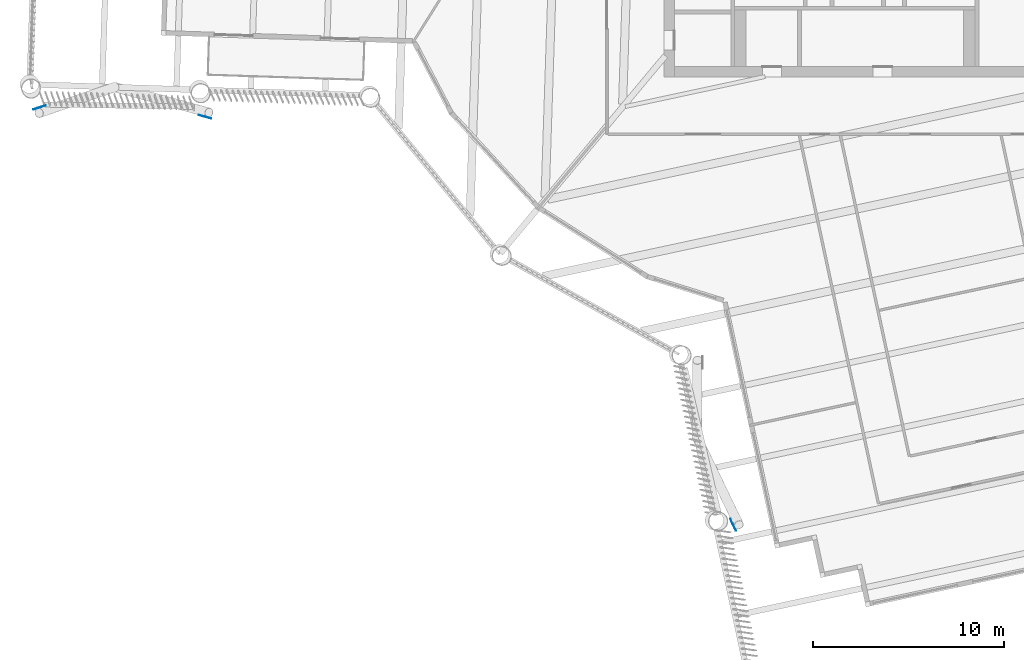
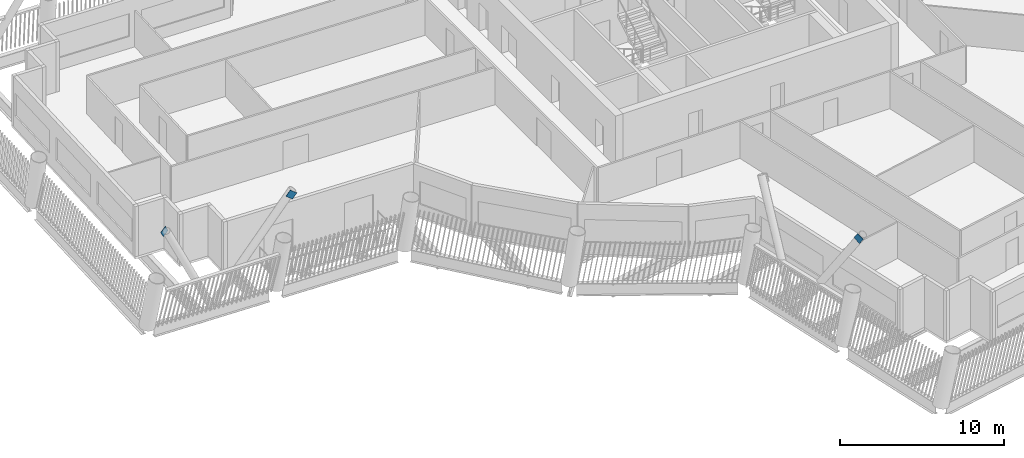
# One storey, part 10 of 21: 3 discrete accessories.
"""IFC4 building model written with IfcOpenShell, lengths in metres."""

from ifc_helpers import new_model, si_unit, direction, frame, origin, origin_2d, place, context, subcontext, project, spatial, rectangle, extrude, material, material_profile, profile_set, type_object, element, save


model = new_model("IFC4")

# Units and contexts
model_context = context("Model", 3, precision=1e-05, world=origin(), true_north=direction((0.0, 1.0)))
body_context = subcontext(model_context, "Body", "Model", "MODEL_VIEW")
ifc_project = project(units=[si_unit("LENGTHUNIT", "METRE"), si_unit("AREAUNIT", "SQUARE_METRE"), si_unit("VOLUMEUNIT", "CUBIC_METRE"), si_unit("PLANEANGLEUNIT", "RADIAN"), si_unit("MASSUNIT", "GRAM", prefix="KILO")], contexts=[model_context])

# Site, building, storey
site_placement = place(None, origin())
site = spatial("IfcSite", under=ifc_project, at=site_placement, CompositionType="ELEMENT")
building_placement = place(site_placement, origin())
building = spatial("IfcBuilding", under=site, at=building_placement, Name="Tarsis Ring Headquarters", CompositionType="ELEMENT")
storey_placement = place(building_placement, frame((0.0, 0.0, 278.60009765625)))
storey = spatial("IfcBuildingStorey", under=building, at=storey_placement, Name="L65", CompositionType="ELEMENT", Elevation=278.60009765625)

# Discrete accessories
ifc_material = material(Name="Structural steel S355", Category="steel")
ifc_material_profile = material_profile(ifc_material, rectangle(XDim=0.02490234375, YDim=0.5, at=origin_2d()), Name="PL 25x500")
ifc_profile_set = profile_set([ifc_material_profile], Name="Structural steel S355")
discrete_accessory_type = type_object("IfcDiscreteAccessoryType", Name="Gusset plate Exo brace 25", PredefinedType="BRACKET", material=ifc_profile_set)
discrete_accessory_1_placement = place(storey_placement, frame((-6.323486328125, -36.599609375, 7.7998046875), z_axis=(-0.236809998138, 0.492662449734, -0.837379684136), x_axis=(-0.90128596218, -0.433224669631, 0.0)))
element("IfcDiscreteAccessory", 1, at=discrete_accessory_1_placement, inside=storey, type_object=discrete_accessory_type, Name="Gusset plate GP5", PredefinedType="BRACKET", context=body_context, shape_type="SweptSolid", body=[
    extrude(rectangle(XDim=0.02490234375, YDim=0.5, at=origin_2d()), origin(), (0.0, 0.0, 1.0), 0.5),
])
discrete_accessory_2_placement = place(storey_placement, frame((-33.936279296875, -15.128173828125, 7.7998046875), z_axis=(-0.530019554772, 0.143129704653, -0.835818855498), x_axis=(-0.260707318453, -0.965417885739, 0.0)))
element("IfcDiscreteAccessory", 2, at=discrete_accessory_2_placement, inside=storey, type_object=discrete_accessory_type, Name="Gusset plate GP5", PredefinedType="BRACKET", context=body_context, shape_type="SweptSolid", body=[
    extrude(rectangle(XDim=0.02490234375, YDim=0.5, at=origin_2d()), origin(), (0.0, 0.0, 1.0), 0.499755859375),
])
discrete_accessory_3_placement = place(storey_placement, frame((-42.855224609375, -14.637451171875, 7.7998046875), z_axis=(0.446835142074, 0.152851802699, -0.88146167371), x_axis=(-0.323663317773, 0.946172318729, 0.0)))
element("IfcDiscreteAccessory", 3, at=discrete_accessory_3_placement, inside=storey, type_object=discrete_accessory_type, Name="Gusset plate GP5", PredefinedType="BRACKET", context=body_context, shape_type="SweptSolid", body=[
    extrude(rectangle(XDim=0.02490234375, YDim=0.5, at=origin_2d()), origin(), (0.0, 0.0, 1.0), 0.5),
])

save(model, "model.ifc")
